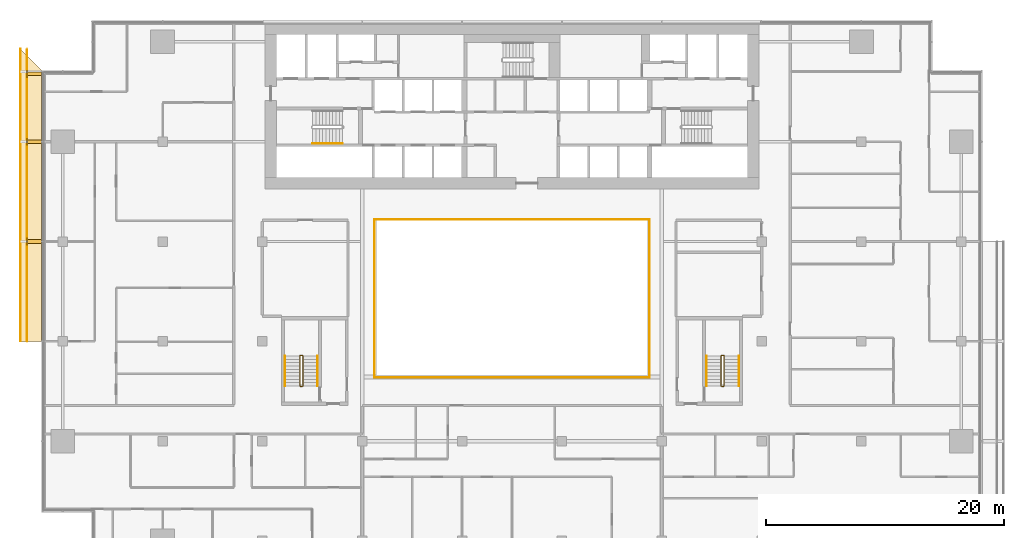
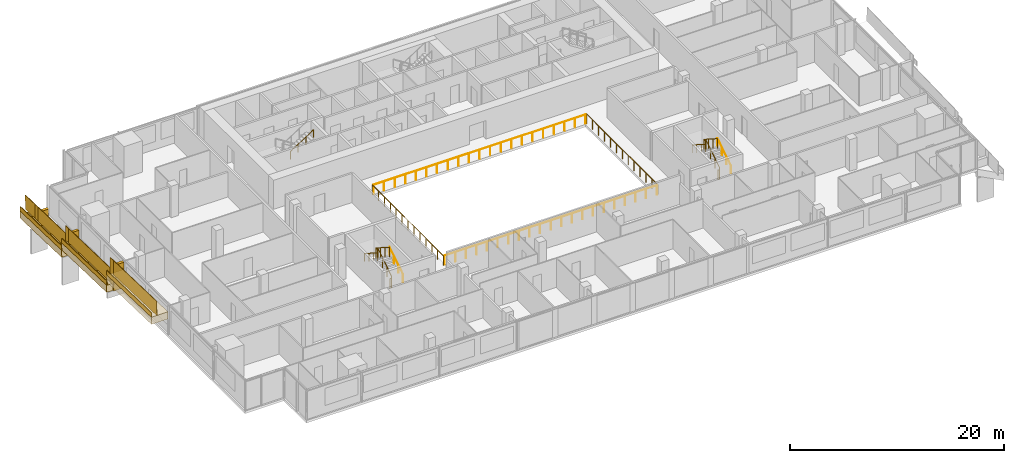
# One storey, part 23 of 25: 17 railings, 9 coverings.
"""IFC4 building model written with IfcOpenShell, lengths in metres."""

from ifc_helpers import new_model, si_unit, direction, frame, origin, origin_2d, place, context, subcontext, project, spatial, polyline, rectangle, circle, outline, extrude, material, layer, layer_set, type_object, element, save


model = new_model("IFC4")

# Units and contexts
model_context = context("Model", 3, precision=1e-05, world=origin(), true_north=direction((0.0, 1.0)))
body_context = subcontext(model_context, "Body", "Model", "MODEL_VIEW")
ifc_project = project(units=[si_unit("LENGTHUNIT", "METRE"), si_unit("AREAUNIT", "SQUARE_METRE"), si_unit("VOLUMEUNIT", "CUBIC_METRE"), si_unit("PLANEANGLEUNIT", "RADIAN"), si_unit("MASSUNIT", "GRAM", prefix="KILO")], contexts=[model_context])

# Site, building, storey
site_placement = place(None, origin())
site = spatial("IfcSite", under=ifc_project, at=site_placement, CompositionType="ELEMENT")
building_placement = place(site_placement, origin())
building = spatial("IfcBuilding", under=site, at=building_placement, Name="Saffron Gate Tower", CompositionType="ELEMENT")
storey_placement = place(building_placement, frame((0.0, 0.0, 131.25)))
storey = spatial("IfcBuildingStorey", under=building, at=storey_placement, Name="L31", CompositionType="ELEMENT", Elevation=131.25)

# Railings
ifc_material_1 = material(Name="Stainless steel and laminated glass", Category="steel")
railing_type_1 = type_object("IfcRailingType", Name="AG1 Atrium edge guard 1100", PredefinedType="GUARDRAIL", material=ifc_material_1)
railing_1_placement = place(storey_placement, frame((76.02001953125, 45.5400390625, 0.0)))
element("IfcRailing", 1, at=railing_1_placement, inside=storey, type_object=railing_type_1, Name="Guard B4-1", PredefinedType="GUARDRAIL", context=body_context, shape_type="SweptSolid", body=[
    extrude(circle(Radius=0.02392578125, at=origin_2d()), frame((0.0, 0.0, 1.076171875), z_axis=(0.0, 1.0, 0.0), x_axis=(-1.0, 0.0, 0.0)), (0.0, 0.0, 1.0), 13.320068359375),
    extrude(circle(Radius=0.02099609375, at=origin_2d()), origin(), (0.0, 0.0, 1.0), 1.052001953125),
    extrude(circle(Radius=0.02099609375, at=origin_2d()), frame((0.0, 1.110107421875, 0.0)), (0.0, 0.0, 1.0), 1.052001953125),
    extrude(circle(Radius=0.02099609375, at=origin_2d()), frame((0.0, 2.219970703125, 0.0)), (0.0, 0.0, 1.0), 1.052001953125),
    extrude(circle(Radius=0.02099609375, at=origin_2d()), frame((0.0, 3.330078125, 0.0)), (0.0, 0.0, 1.0), 1.052001953125),
    extrude(circle(Radius=0.02099609375, at=origin_2d()), frame((0.0, 4.43994140625, 0.0)), (0.0, 0.0, 1.0), 1.052001953125),
    extrude(circle(Radius=0.02099609375, at=origin_2d()), frame((0.0, 5.550048828125, 0.0)), (0.0, 0.0, 1.0), 1.052001953125),
    extrude(circle(Radius=0.02099609375, at=origin_2d()), frame((0.0, 6.66015625, 0.0)), (0.0, 0.0, 1.0), 1.052001953125),
    extrude(circle(Radius=0.02099609375, at=origin_2d()), frame((0.0, 7.77001953125, 0.0)), (0.0, 0.0, 1.0), 1.052001953125),
    extrude(circle(Radius=0.02099609375, at=origin_2d()), frame((0.0, 8.880126953125, 0.0)), (0.0, 0.0, 1.0), 1.052001953125),
    extrude(circle(Radius=0.02099609375, at=origin_2d()), frame((0.0, 9.989990234375, 0.0)), (0.0, 0.0, 1.0), 1.052001953125),
    extrude(circle(Radius=0.02099609375, at=origin_2d()), frame((0.0, 11.10009765625, 0.0)), (0.0, 0.0, 1.0), 1.052001953125),
    extrude(circle(Radius=0.02099609375, at=origin_2d()), frame((0.0, 12.2099609375, 0.0)), (0.0, 0.0, 1.0), 1.052001953125),
    extrude(circle(Radius=0.02099609375, at=origin_2d()), frame((0.0, 13.320068359375, 0.0)), (0.0, 0.0, 1.0), 1.052001953125),
])
railing_2_placement = place(storey_placement, frame((76.139892578125, 58.860107421875, 0.0)))
element("IfcRailing", 2, at=railing_2_placement, inside=storey, type_object=railing_type_1, Name="Guard B4-2", PredefinedType="GUARDRAIL", context=body_context, shape_type="SweptSolid", body=[
    extrude(circle(Radius=0.02392578125, at=origin_2d()), frame((0.0, 0.0, 1.076171875), z_axis=(1.0, 0.0, 0.0), x_axis=(0.0, 1.0, 0.0)), (0.0, 0.0, 1.0), 22.920166015625),
    extrude(circle(Radius=0.02099609375, at=origin_2d()), origin(), (0.0, 0.0, 1.0), 1.052001953125),
    extrude(circle(Radius=0.02099609375, at=origin_2d()), frame((1.14599609375, 0.0, 0.0)), (0.0, 0.0, 1.0), 1.052001953125),
    extrude(circle(Radius=0.02099609375, at=origin_2d()), frame((2.2919921875, 0.0, 0.0)), (0.0, 0.0, 1.0), 1.052001953125),
    extrude(circle(Radius=0.02099609375, at=origin_2d()), frame((3.43798828125, 0.0, 0.0)), (0.0, 0.0, 1.0), 1.052001953125),
    extrude(circle(Radius=0.02099609375, at=origin_2d()), frame((4.583984375, 0.0, 0.0)), (0.0, 0.0, 1.0), 1.052001953125),
    extrude(circle(Radius=0.02099609375, at=origin_2d()), frame((5.72998046875, 0.0, 0.0)), (0.0, 0.0, 1.0), 1.052001953125),
    extrude(circle(Radius=0.02099609375, at=origin_2d()), frame((6.8759765625, 0.0, 0.0)), (0.0, 0.0, 1.0), 1.052001953125),
    extrude(circle(Radius=0.02099609375, at=origin_2d()), frame((8.02197265625, 0.0, 0.0)), (0.0, 0.0, 1.0), 1.052001953125),
    extrude(circle(Radius=0.02099609375, at=origin_2d()), frame((9.16796875, 0.0, 0.0)), (0.0, 0.0, 1.0), 1.052001953125),
    extrude(circle(Radius=0.02099609375, at=origin_2d()), frame((10.31396484375, 0.0, 0.0)), (0.0, 0.0, 1.0), 1.052001953125),
    extrude(circle(Radius=0.02099609375, at=origin_2d()), frame((11.4599609375, 0.0, 0.0)), (0.0, 0.0, 1.0), 1.052001953125),
    extrude(circle(Radius=0.02099609375, at=origin_2d()), frame((12.606201171875, 0.0, 0.0)), (0.0, 0.0, 1.0), 1.052001953125),
    extrude(circle(Radius=0.02099609375, at=origin_2d()), frame((13.752197265625, 0.0, 0.0)), (0.0, 0.0, 1.0), 1.052001953125),
    extrude(circle(Radius=0.02099609375, at=origin_2d()), frame((14.898193359375, 0.0, 0.0)), (0.0, 0.0, 1.0), 1.052001953125),
    extrude(circle(Radius=0.02099609375, at=origin_2d()), frame((16.044189453125, 0.0, 0.0)), (0.0, 0.0, 1.0), 1.052001953125),
    extrude(circle(Radius=0.02099609375, at=origin_2d()), frame((17.190185546875, 0.0, 0.0)), (0.0, 0.0, 1.0), 1.052001953125),
    extrude(circle(Radius=0.02099609375, at=origin_2d()), frame((18.336181640625, 0.0, 0.0)), (0.0, 0.0, 1.0), 1.052001953125),
    extrude(circle(Radius=0.02099609375, at=origin_2d()), frame((19.482177734375, 0.0, 0.0)), (0.0, 0.0, 1.0), 1.052001953125),
    extrude(circle(Radius=0.02099609375, at=origin_2d()), frame((20.628173828125, 0.0, 0.0)), (0.0, 0.0, 1.0), 1.052001953125),
    extrude(circle(Radius=0.02099609375, at=origin_2d()), frame((21.774169921875, 0.0, 0.0)), (0.0, 0.0, 1.0), 1.052001953125),
    extrude(circle(Radius=0.02099609375, at=origin_2d()), frame((22.920166015625, 0.0, 0.0)), (0.0, 0.0, 1.0), 1.052001953125),
])
railing_3_placement = place(storey_placement, frame((99.179931640625, 58.860107421875, 0.0)))
element("IfcRailing", 3, at=railing_3_placement, inside=storey, type_object=railing_type_1, Name="Guard B4-3", PredefinedType="GUARDRAIL", context=body_context, shape_type="SweptSolid", body=[
    extrude(circle(Radius=0.02392578125, at=origin_2d()), frame((0.0, 0.0, 1.076171875), z_axis=(0.0, -1.0, 0.0), x_axis=(1.0, 0.0, 0.0)), (0.0, 0.0, 1.0), 13.320068359375),
    extrude(circle(Radius=0.02099609375, at=origin_2d()), origin(), (0.0, 0.0, 1.0), 1.052001953125),
    extrude(circle(Radius=0.02099609375, at=origin_2d()), frame((0.0, -1.110107421875, 0.0)), (0.0, 0.0, 1.0), 1.052001953125),
    extrude(circle(Radius=0.02099609375, at=origin_2d()), frame((0.0, -2.219970703125, 0.0)), (0.0, 0.0, 1.0), 1.052001953125),
    extrude(circle(Radius=0.02099609375, at=origin_2d()), frame((0.0, -3.330078125, 0.0)), (0.0, 0.0, 1.0), 1.052001953125),
    extrude(circle(Radius=0.02099609375, at=origin_2d()), frame((0.0, -4.43994140625, 0.0)), (0.0, 0.0, 1.0), 1.052001953125),
    extrude(circle(Radius=0.02099609375, at=origin_2d()), frame((0.0, -5.550048828125, 0.0)), (0.0, 0.0, 1.0), 1.052001953125),
    extrude(circle(Radius=0.02099609375, at=origin_2d()), frame((0.0, -6.66015625, 0.0)), (0.0, 0.0, 1.0), 1.052001953125),
    extrude(circle(Radius=0.02099609375, at=origin_2d()), frame((0.0, -7.77001953125, 0.0)), (0.0, 0.0, 1.0), 1.052001953125),
    extrude(circle(Radius=0.02099609375, at=origin_2d()), frame((0.0, -8.880126953125, 0.0)), (0.0, 0.0, 1.0), 1.052001953125),
    extrude(circle(Radius=0.02099609375, at=origin_2d()), frame((0.0, -9.989990234375, 0.0)), (0.0, 0.0, 1.0), 1.052001953125),
    extrude(circle(Radius=0.02099609375, at=origin_2d()), frame((0.0, -11.10009765625, 0.0)), (0.0, 0.0, 1.0), 1.052001953125),
    extrude(circle(Radius=0.02099609375, at=origin_2d()), frame((0.0, -12.2099609375, 0.0)), (0.0, 0.0, 1.0), 1.052001953125),
    extrude(circle(Radius=0.02099609375, at=origin_2d()), frame((0.0, -13.320068359375, 0.0)), (0.0, 0.0, 1.0), 1.052001953125),
])
railing_4_placement = place(storey_placement, frame((99.06005859375, 45.5400390625, 0.0)))
element("IfcRailing", 4, at=railing_4_placement, inside=storey, type_object=railing_type_1, Name="Guard B4-4", PredefinedType="GUARDRAIL", context=body_context, shape_type="SweptSolid", body=[
    extrude(circle(Radius=0.02392578125, at=origin_2d()), frame((0.0, 0.0, 1.076171875), z_axis=(-1.0, 0.0, 0.0), x_axis=(0.0, -1.0, 0.0)), (0.0, 0.0, 1.0), 22.920166015625),
    extrude(circle(Radius=0.02099609375, at=origin_2d()), origin(), (0.0, 0.0, 1.0), 1.052001953125),
    extrude(circle(Radius=0.02099609375, at=origin_2d()), frame((-1.14599609375, 0.0, 0.0)), (0.0, 0.0, 1.0), 1.052001953125),
    extrude(circle(Radius=0.02099609375, at=origin_2d()), frame((-2.2919921875, 0.0, 0.0)), (0.0, 0.0, 1.0), 1.052001953125),
    extrude(circle(Radius=0.02099609375, at=origin_2d()), frame((-3.43798828125, 0.0, 0.0)), (0.0, 0.0, 1.0), 1.052001953125),
    extrude(circle(Radius=0.02099609375, at=origin_2d()), frame((-4.583984375, 0.0, 0.0)), (0.0, 0.0, 1.0), 1.052001953125),
    extrude(circle(Radius=0.02099609375, at=origin_2d()), frame((-5.72998046875, 0.0, 0.0)), (0.0, 0.0, 1.0), 1.052001953125),
    extrude(circle(Radius=0.02099609375, at=origin_2d()), frame((-6.8759765625, 0.0, 0.0)), (0.0, 0.0, 1.0), 1.052001953125),
    extrude(circle(Radius=0.02099609375, at=origin_2d()), frame((-8.02197265625, 0.0, 0.0)), (0.0, 0.0, 1.0), 1.052001953125),
    extrude(circle(Radius=0.02099609375, at=origin_2d()), frame((-9.16796875, 0.0, 0.0)), (0.0, 0.0, 1.0), 1.052001953125),
    extrude(circle(Radius=0.02099609375, at=origin_2d()), frame((-10.31396484375, 0.0, 0.0)), (0.0, 0.0, 1.0), 1.052001953125),
    extrude(circle(Radius=0.02099609375, at=origin_2d()), frame((-11.4599609375, 0.0, 0.0)), (0.0, 0.0, 1.0), 1.052001953125),
    extrude(circle(Radius=0.02099609375, at=origin_2d()), frame((-12.606201171875, 0.0, 0.0)), (0.0, 0.0, 1.0), 1.052001953125),
    extrude(circle(Radius=0.02099609375, at=origin_2d()), frame((-13.752197265625, 0.0, 0.0)), (0.0, 0.0, 1.0), 1.052001953125),
    extrude(circle(Radius=0.02099609375, at=origin_2d()), frame((-14.898193359375, 0.0, 0.0)), (0.0, 0.0, 1.0), 1.052001953125),
    extrude(circle(Radius=0.02099609375, at=origin_2d()), frame((-16.044189453125, 0.0, 0.0)), (0.0, 0.0, 1.0), 1.052001953125),
    extrude(circle(Radius=0.02099609375, at=origin_2d()), frame((-17.190185546875, 0.0, 0.0)), (0.0, 0.0, 1.0), 1.052001953125),
    extrude(circle(Radius=0.02099609375, at=origin_2d()), frame((-18.336181640625, 0.0, 0.0)), (0.0, 0.0, 1.0), 1.052001953125),
    extrude(circle(Radius=0.02099609375, at=origin_2d()), frame((-19.482177734375, 0.0, 0.0)), (0.0, 0.0, 1.0), 1.052001953125),
    extrude(circle(Radius=0.02099609375, at=origin_2d()), frame((-20.628173828125, 0.0, 0.0)), (0.0, 0.0, 1.0), 1.052001953125),
    extrude(circle(Radius=0.02099609375, at=origin_2d()), frame((-21.774169921875, 0.0, 0.0)), (0.0, 0.0, 1.0), 1.052001953125),
    extrude(circle(Radius=0.02099609375, at=origin_2d()), frame((-22.920166015625, 0.0, 0.0)), (0.0, 0.0, 1.0), 1.052001953125),
])
railing_type_2 = type_object("IfcRailingType", Name="CR1 Stair guard 1100", PredefinedType="GUARDRAIL", material=ifc_material_1)
railing_5_placement = place(storey_placement, frame((69.800048828125, 44.800048828125, 0.0)))
element("IfcRailing", 5, at=railing_5_placement, inside=storey, type_object=railing_type_2, Name="L31 ST-D stair guard 1", PredefinedType="GUARDRAIL", context=body_context, shape_type="SweptSolid", body=[
    extrude(circle(Radius=0.02392578125, at=origin_2d()), frame((0.0, 0.0, 1.076171875), z_axis=(1.0, 0.0, 0.0), x_axis=(0.0, 1.0, 0.0)), (0.0, 0.0, 1.0), 0.14990234375),
    extrude(circle(Radius=0.02392578125, at=origin_2d()), frame((0.14990234375, 0.0, 1.076171875), z_axis=(0.258847668887, 0.258847668887, 0.930588936439), x_axis=(-0.707106781187, 0.707106781187, 0.0)), (0.0, 0.0, 1.0), 0.193359375),
    extrude(circle(Radius=0.02392578125, at=origin_2d()), frame((0.199951171875, 0.050048828125, 1.255859375), z_axis=(0.0, 0.841162588446, 0.540782303519), x_axis=(-1.0, 0.0, 0.0)), (0.0, 0.0, 1.0), 2.995849609375),
    extrude(circle(Radius=0.02392578125, at=origin_2d()), frame((0.199951171875, 2.570068359375, 2.8759765625), z_axis=(-0.708833529934, 0.705375805398, 0.0), x_axis=(-0.705375805398, -0.708833529934, 0.0)), (0.0, 0.0, 1.0), 0.070556640625),
    extrude(circle(Radius=0.02392578125, at=origin_2d()), frame((0.14990234375, 2.619873046875, 2.8759765625), z_axis=(-1.0, 0.0, 0.0), x_axis=(0.0, -1.0, 0.0)), (0.0, 0.0, 1.0), 0.14990234375),
    extrude(circle(Radius=0.02392578125, at=origin_2d()), frame((0.0, 2.619873046875, 2.8759765625), z_axis=(-0.258932105505, -0.257669022063, 0.930892496375), x_axis=(0.705375805398, -0.708833529934, 0.0)), (0.0, 0.0, 1.0), 0.193359375),
    extrude(circle(Radius=0.02392578125, at=origin_2d()), frame((-0.050048828125, 2.570068359375, 3.05615234375), z_axis=(0.0, -0.841162588446, 0.540782303519), x_axis=(1.0, 0.0, 0.0)), (0.0, 0.0, 1.0), 2.995849609375),
    extrude(circle(Radius=0.02099609375, at=origin_2d()), origin(), (0.0, 0.0, 1.0), 1.052001953125),
    extrude(circle(Radius=0.02099609375, at=origin_2d()), frame((0.14990234375, 0.0, 0.0)), (0.0, 0.0, 1.0), 1.052001953125),
    extrude(circle(Radius=0.02099609375, at=origin_2d()), frame((0.199951171875, 0.050048828125, 0.179931640625)), (0.0, 0.0, 1.0), 1.052001953125),
    extrude(circle(Radius=0.02099609375, at=origin_2d()), frame((0.199951171875, 0.89013671875, 0.719970703125)), (0.0, 0.0, 1.0), 1.052001953125),
    extrude(circle(Radius=0.02099609375, at=origin_2d()), frame((0.199951171875, 1.72998046875, 1.260009765625)), (0.0, 0.0, 1.0), 1.052001953125),
    extrude(circle(Radius=0.02099609375, at=origin_2d()), frame((0.199951171875, 2.570068359375, 1.800048828125)), (0.0, 0.0, 1.0), 1.052001953125),
    extrude(circle(Radius=0.02099609375, at=origin_2d()), frame((0.14990234375, 2.619873046875, 1.800048828125)), (0.0, 0.0, 1.0), 1.052001953125),
    extrude(circle(Radius=0.02099609375, at=origin_2d()), frame((0.0, 2.619873046875, 1.800048828125)), (0.0, 0.0, 1.0), 1.052001953125),
    extrude(circle(Radius=0.02099609375, at=origin_2d()), frame((-0.050048828125, 2.570068359375, 1.97998046875)), (0.0, 0.0, 1.0), 1.052001953125),
    extrude(circle(Radius=0.02099609375, at=origin_2d()), frame((-0.050048828125, 1.72998046875, 2.52001953125)), (0.0, 0.0, 1.0), 1.052001953125),
    extrude(circle(Radius=0.02099609375, at=origin_2d()), frame((-0.050048828125, 0.89013671875, 3.06005859375)), (0.0, 0.0, 1.0), 1.052001953125),
    extrude(circle(Radius=0.02099609375, at=origin_2d()), frame((-0.050048828125, 0.050048828125, 3.60009765625)), (0.0, 0.0, 1.0), 1.052001953125),
])
railing_6_placement = place(storey_placement, frame((105.25, 44.800048828125, 0.0)))
element("IfcRailing", 6, at=railing_6_placement, inside=storey, type_object=railing_type_2, Name="L31 ST-E stair guard 1", PredefinedType="GUARDRAIL", context=body_context, shape_type="SweptSolid", body=[
    extrude(circle(Radius=0.02392578125, at=origin_2d()), frame((0.0, 0.0, 1.076171875), z_axis=(1.0, 0.0, 0.0), x_axis=(0.0, 1.0, 0.0)), (0.0, 0.0, 1.0), 0.14990234375),
    extrude(circle(Radius=0.02392578125, at=origin_2d()), frame((0.14990234375, 0.0, 1.076171875), z_axis=(0.258847668887, 0.258847668887, 0.930588936439), x_axis=(-0.707106781187, 0.707106781187, 0.0)), (0.0, 0.0, 1.0), 0.193359375),
    extrude(circle(Radius=0.02392578125, at=origin_2d()), frame((0.199951171875, 0.050048828125, 1.255859375), z_axis=(0.0, 0.841162588446, 0.540782303519), x_axis=(-1.0, 0.0, 0.0)), (0.0, 0.0, 1.0), 2.995849609375),
    extrude(circle(Radius=0.02392578125, at=origin_2d()), frame((0.199951171875, 2.570068359375, 2.8759765625), z_axis=(-0.708833529934, 0.705375805398, 0.0), x_axis=(-0.705375805398, -0.708833529934, 0.0)), (0.0, 0.0, 1.0), 0.070556640625),
    extrude(circle(Radius=0.02392578125, at=origin_2d()), frame((0.14990234375, 2.619873046875, 2.8759765625), z_axis=(-1.0, 0.0, 0.0), x_axis=(0.0, -1.0, 0.0)), (0.0, 0.0, 1.0), 0.14990234375),
    extrude(circle(Radius=0.02392578125, at=origin_2d()), frame((0.0, 2.619873046875, 2.8759765625), z_axis=(-0.258932105505, -0.257669022063, 0.930892496375), x_axis=(0.705375805398, -0.708833529934, 0.0)), (0.0, 0.0, 1.0), 0.193359375),
    extrude(circle(Radius=0.02392578125, at=origin_2d()), frame((-0.050048828125, 2.570068359375, 3.05615234375), z_axis=(0.0, -0.841162588446, 0.540782303519), x_axis=(1.0, 0.0, 0.0)), (0.0, 0.0, 1.0), 2.995849609375),
    extrude(circle(Radius=0.02099609375, at=origin_2d()), origin(), (0.0, 0.0, 1.0), 1.052001953125),
    extrude(circle(Radius=0.02099609375, at=origin_2d()), frame((0.14990234375, 0.0, 0.0)), (0.0, 0.0, 1.0), 1.052001953125),
    extrude(circle(Radius=0.02099609375, at=origin_2d()), frame((0.199951171875, 0.050048828125, 0.179931640625)), (0.0, 0.0, 1.0), 1.052001953125),
    extrude(circle(Radius=0.02099609375, at=origin_2d()), frame((0.199951171875, 0.89013671875, 0.719970703125)), (0.0, 0.0, 1.0), 1.052001953125),
    extrude(circle(Radius=0.02099609375, at=origin_2d()), frame((0.199951171875, 1.72998046875, 1.260009765625)), (0.0, 0.0, 1.0), 1.052001953125),
    extrude(circle(Radius=0.02099609375, at=origin_2d()), frame((0.199951171875, 2.570068359375, 1.800048828125)), (0.0, 0.0, 1.0), 1.052001953125),
    extrude(circle(Radius=0.02099609375, at=origin_2d()), frame((0.14990234375, 2.619873046875, 1.800048828125)), (0.0, 0.0, 1.0), 1.052001953125),
    extrude(circle(Radius=0.02099609375, at=origin_2d()), frame((0.0, 2.619873046875, 1.800048828125)), (0.0, 0.0, 1.0), 1.052001953125),
    extrude(circle(Radius=0.02099609375, at=origin_2d()), frame((-0.050048828125, 2.570068359375, 1.97998046875)), (0.0, 0.0, 1.0), 1.052001953125),
    extrude(circle(Radius=0.02099609375, at=origin_2d()), frame((-0.050048828125, 1.72998046875, 2.52001953125)), (0.0, 0.0, 1.0), 1.052001953125),
    extrude(circle(Radius=0.02099609375, at=origin_2d()), frame((-0.050048828125, 0.89013671875, 3.06005859375)), (0.0, 0.0, 1.0), 1.052001953125),
    extrude(circle(Radius=0.02099609375, at=origin_2d()), frame((-0.050048828125, 0.050048828125, 3.60009765625)), (0.0, 0.0, 1.0), 1.052001953125),
])
ifc_material_2 = material(Name="Stainless steel", Category="steel")
railing_type_3 = type_object("IfcRailingType", Name="CR2 Stair handrail 900", PredefinedType="HANDRAIL", material=ifc_material_2)
railing_7_placement = place(storey_placement, frame((70.830078125, 65.25, 1.97998046875)))
element("IfcRailing", 7, at=railing_7_placement, inside=storey, type_object=railing_type_3, Name="L31 ST-A stair handrail 2", PredefinedType="HANDRAIL", context=body_context, shape_type="SweptSolid", body=[
    extrude(circle(Radius=0.02392578125, at=origin_2d()), frame((0.0, 0.0, 0.8759765625), z_axis=(0.841162588446, 0.0, 0.540782303519), x_axis=(0.0, 1.0, 0.0)), (0.0, 0.0, 1.0), 2.995849609375),
    extrude(circle(Radius=0.02099609375, at=origin_2d()), origin(), (0.0, 0.0, 1.0), 0.851806640625),
    extrude(circle(Radius=0.02099609375, at=origin_2d()), frame((0.840087890625, 0.0, 0.5400390625)), (0.0, 0.0, 1.0), 0.851806640625),
    extrude(circle(Radius=0.02099609375, at=origin_2d()), frame((1.679931640625, 0.0, 1.080078125)), (0.0, 0.0, 1.0), 0.851806640625),
    extrude(circle(Radius=0.02099609375, at=origin_2d()), frame((2.52001953125, 0.0, 1.6201171875)), (0.0, 0.0, 1.0), 0.851806640625),
])
railing_8_placement = place(storey_placement, frame((71.25, 44.85009765625, 0.179931640625)))
element("IfcRailing", 8, at=railing_8_placement, inside=storey, type_object=railing_type_3, Name="L31 ST-D stair handrail 1", PredefinedType="HANDRAIL", context=body_context, shape_type="SweptSolid", body=[
    extrude(circle(Radius=0.02392578125, at=origin_2d()), frame((0.0, 0.0, 0.8759765625), z_axis=(0.0, 0.841162588446, 0.540782303519), x_axis=(-1.0, 0.0, 0.0)), (0.0, 0.0, 1.0), 2.995849609375),
    extrude(circle(Radius=0.02099609375, at=origin_2d()), origin(), (0.0, 0.0, 1.0), 0.851806640625),
    extrude(circle(Radius=0.02099609375, at=origin_2d()), frame((0.0, 0.840087890625, 0.5400390625)), (0.0, 0.0, 1.0), 0.851806640625),
    extrude(circle(Radius=0.02099609375, at=origin_2d()), frame((0.0, 1.679931640625, 1.080078125)), (0.0, 0.0, 1.0), 0.851806640625),
    extrude(circle(Radius=0.02099609375, at=origin_2d()), frame((0.0, 2.52001953125, 1.6201171875)), (0.0, 0.0, 1.0), 0.851806640625),
])
railing_9_placement = place(storey_placement, frame((68.5, 47.3701171875, 1.97998046875)))
element("IfcRailing", 9, at=railing_9_placement, inside=storey, type_object=railing_type_3, Name="L31 ST-D stair handrail 2", PredefinedType="HANDRAIL", context=body_context, shape_type="SweptSolid", body=[
    extrude(circle(Radius=0.02392578125, at=origin_2d()), frame((0.0, 0.0, 0.8759765625), z_axis=(0.0, -0.841162588446, 0.540782303519), x_axis=(1.0, 0.0, 0.0)), (0.0, 0.0, 1.0), 2.995849609375),
    extrude(circle(Radius=0.02099609375, at=origin_2d()), origin(), (0.0, 0.0, 1.0), 0.851806640625),
    extrude(circle(Radius=0.02099609375, at=origin_2d()), frame((0.0, -0.840087890625, 0.5400390625)), (0.0, 0.0, 1.0), 0.851806640625),
    extrude(circle(Radius=0.02099609375, at=origin_2d()), frame((0.0, -1.679931640625, 1.080078125)), (0.0, 0.0, 1.0), 0.851806640625),
    extrude(circle(Radius=0.02099609375, at=origin_2d()), frame((0.0, -2.52001953125, 1.6201171875)), (0.0, 0.0, 1.0), 0.851806640625),
])
railing_10_placement = place(storey_placement, frame((106.699951171875, 44.85009765625, 0.179931640625)))
element("IfcRailing", 10, at=railing_10_placement, inside=storey, type_object=railing_type_3, Name="L31 ST-E stair handrail 1", PredefinedType="HANDRAIL", context=body_context, shape_type="SweptSolid", body=[
    extrude(circle(Radius=0.02392578125, at=origin_2d()), frame((0.0, 0.0, 0.8759765625), z_axis=(0.0, 0.841162588446, 0.540782303519), x_axis=(-1.0, 0.0, 0.0)), (0.0, 0.0, 1.0), 2.995849609375),
    extrude(circle(Radius=0.02099609375, at=origin_2d()), origin(), (0.0, 0.0, 1.0), 0.851806640625),
    extrude(circle(Radius=0.02099609375, at=origin_2d()), frame((0.0, 0.840087890625, 0.5400390625)), (0.0, 0.0, 1.0), 0.851806640625),
    extrude(circle(Radius=0.02099609375, at=origin_2d()), frame((0.0, 1.679931640625, 1.080078125)), (0.0, 0.0, 1.0), 0.851806640625),
    extrude(circle(Radius=0.02099609375, at=origin_2d()), frame((0.0, 2.52001953125, 1.6201171875)), (0.0, 0.0, 1.0), 0.851806640625),
])
railing_11_placement = place(storey_placement, frame((103.949951171875, 47.3701171875, 1.97998046875)))
element("IfcRailing", 11, at=railing_11_placement, inside=storey, type_object=railing_type_3, Name="L31 ST-E stair handrail 2", PredefinedType="HANDRAIL", context=body_context, shape_type="SweptSolid", body=[
    extrude(circle(Radius=0.02392578125, at=origin_2d()), frame((0.0, 0.0, 0.8759765625), z_axis=(0.0, -0.841162588446, 0.540782303519), x_axis=(1.0, 0.0, 0.0)), (0.0, 0.0, 1.0), 2.995849609375),
    extrude(circle(Radius=0.02099609375, at=origin_2d()), origin(), (0.0, 0.0, 1.0), 0.851806640625),
    extrude(circle(Radius=0.02099609375, at=origin_2d()), frame((0.0, -0.840087890625, 0.5400390625)), (0.0, 0.0, 1.0), 0.851806640625),
    extrude(circle(Radius=0.02099609375, at=origin_2d()), frame((0.0, -1.679931640625, 1.080078125)), (0.0, 0.0, 1.0), 0.851806640625),
    extrude(circle(Radius=0.02099609375, at=origin_2d()), frame((0.0, -2.52001953125, 1.6201171875)), (0.0, 0.0, 1.0), 0.851806640625),
])

# Coverings
ifc_material_3 = material(Name="Timber, thermally modified ash", Category="wood")
ifc_layer_1 = layer(ifc_material_3, 0.800048828125)
ifc_layer_set_1 = layer_set([ifc_layer_1], Name="LD1 ledge timber")
covering_type_1 = type_object("IfcCoveringType", Name="LD1 ledge timber", PredefinedType="CLADDING", material=ifc_layer_set_1)
covering_1_placement = place(storey_placement, frame((48.0, 71.39990234375, -0.07177734375), z_axis=(2.391759e-05, 0.028789477025, 0.999585496814), x_axis=(-1.72e-10, -0.9995854971, 0.028789477033)))
element("IfcCovering", 12, at=covering_1_placement, inside=storey, type_object=covering_type_1, Name="LEDGE", PredefinedType="CLADDING", context=body_context, shape_type="SweptSolid", body=[
    extrude(outline(polyline([(0.0, 0.0), (6.002489288687248, -8.470329472543003e-22), (6.002489288996045, -1.8000488276101398), (-1.800792782710612, -1.8000488299785034), (0.0, 0.0)])), origin(), (0.0, 0.0, -1.0), 0.800048828125),
])
for number, where, z_axis, x_axis, name in (
    (13, (48.0, 65.39990234375, 0.95849609375), (0.0, 0.028791175352, 0.999585448184), (0.0, -0.999585448184, 0.028791175352), "LEDGE"),
    (14, (48.0, 57.0, 2.40087890625), (0.0, 0.028791175352, 0.999585448184), (0.0, -0.999585448184, 0.028791175352), "LEDGE"),
):
    element("IfcCovering", number, at=place(storey_placement, frame(where, z_axis=z_axis, x_axis=x_axis)), inside=storey, type_object=covering_type_1, Name=name, PredefinedType="CLADDING", context=body_context, shape_type="SweptSolid", body=[
        extrude(outline(polyline([(0.0, 0.0), (8.403385982666892, 0.0), (8.403385982666892, -1.800048828125), (0.0, -1.800048828125), (0.0, 0.0)])), origin(), (0.0, 0.0, -1.0), 0.800048828125),
    ])
ifc_layer_2 = layer(ifc_material_3, 0.080078125)
ifc_layer_set_2 = layer_set([ifc_layer_2], Name="LD2 ledge planter trough")
covering_type_2 = type_object("IfcCoveringType", Name="LD2 ledge planter trough", PredefinedType="CLADDING", material=ifc_layer_set_2)
covering_2_placement = place(storey_placement, frame((46.199951171875, 73.199951171875, -0.12353515625), z_axis=(-1.0, 0.0, 0.0), x_axis=(0.0, -0.999585655924, 0.028783962047)))
element("IfcCovering", 15, at=covering_2_placement, inside=storey, type_object=covering_type_2, Name="LEDGE planter trough", PredefinedType="CLADDING", context=body_context, shape_type="SweptSolid", body=[
    extrude(outline(polyline([(0.0, 0.0), (7.803282071825423, 2.7755575615628914e-17), (7.817674052849086, 0.4997928279619612), (0.014391981023662846, 0.4997928279619612), (0.0, 0.0)])), origin(), (0.0, 0.0, -1.0), 0.080078125),
])
for number, where, z_axis, x_axis, name in (
    (16, (46.199951171875, 65.39990234375, 0.95849609375), (-1.0, 0.0, 0.0), (0.0, -0.999585448184, 0.028791175352), "LEDGE planter trough"),
    (17, (46.199951171875, 57.0, 2.40087890625), (-1.0, 0.0, 0.0), (0.0, -0.999585448184, 0.028791175352), "LEDGE planter trough"),
):
    element("IfcCovering", number, at=place(storey_placement, frame(where, z_axis=z_axis, x_axis=x_axis)), inside=storey, type_object=covering_type_2, Name=name, PredefinedType="CLADDING", context=body_context, shape_type="SweptSolid", body=[
        extrude(outline(polyline([(0.0, 0.0), (8.403385982666892, 0.0), (8.417781570342743, 0.49979272409216496), (0.014395587675851172, 0.4997927240921649), (0.0, 0.0)])), origin(), (0.0, 0.0, -1.0), 0.080078125),
    ])
ifc_layer_3 = layer(ifc_material_3, 0.300048828125)
ifc_layer_set_3 = layer_set([ifc_layer_3], Name="LD3 ledge riser fin")
covering_type_3 = type_object("IfcCoveringType", Name="LD3 ledge riser fin", PredefinedType="CLADDING", material=ifc_layer_set_3)
covering_3_placement = place(storey_placement, frame((47.43994140625, 71.10009765625, -1.12890625), z_axis=(0.0, 0.0, 1.0), x_axis=(0.0, -1.0, 0.0)))
element("IfcCovering", 18, at=covering_3_placement, inside=storey, type_object=covering_type_3, Name="LEDGE riser fin", PredefinedType="CLADDING", context=body_context, shape_type="SweptSolid", body=[
    extrude(rectangle(XDim=0.300048828125, YDim=1.1201171875, at=origin_2d()), origin(), (0.0, 0.0, 1.0), 1.957275390625),
])
covering_4_placement = place(storey_placement, frame((47.43994140625, 65.39990234375, -0.69873046875), z_axis=(0.0, 0.0, 1.0), x_axis=(0.0, -1.0, 0.0)))
element("IfcCovering", 19, at=covering_4_placement, inside=storey, type_object=covering_type_3, Name="LEDGE riser fin", PredefinedType="CLADDING", context=body_context, shape_type="SweptSolid", body=[
    extrude(rectangle(XDim=0.300048828125, YDim=1.1201171875, at=origin_2d()), origin(), (0.0, 0.0, 1.0), 2.557373046875),
])
covering_5_placement = place(storey_placement, frame((47.43994140625, 57.0, 0.400390625), z_axis=(0.0, 0.0, 1.0), x_axis=(0.0, -1.0, 0.0)))
element("IfcCovering", 20, at=covering_5_placement, inside=storey, type_object=covering_type_3, Name="LEDGE riser fin", PredefinedType="CLADDING", context=body_context, shape_type="SweptSolid", body=[
    extrude(rectangle(XDim=0.300048828125, YDim=1.1201171875, at=origin_2d()), origin(), (0.0, 0.0, 1.0), 2.900390625),
])

# Railings
railing_type_4 = type_object("IfcRailingType", Name="LG1 ledge balustrade", PredefinedType="BALUSTRADE", material=ifc_material_3)
railing_12_placement = place(storey_placement, frame((46.800048828125, 73.199951171875, -0.12353515625)))
element("IfcRailing", 21, at=railing_12_placement, inside=storey, type_object=railing_type_4, Name="LEDGE BALUSTRADE", PredefinedType="BALUSTRADE", context=body_context, shape_type="SweptSolid", body=[
    extrude(rectangle(XDim=0.06005859375, YDim=1.60009765625, at=origin_2d()), frame((0.0, 0.0, 0.800048828125), z_axis=(0.0, -0.999585655924, 0.028783962047), x_axis=(1.0, 0.0, 0.0)), (0.0, 0.0, 1.0), 7.80322265625),
])
railing_13_placement = place(storey_placement, frame((46.800048828125, 71.39990234375, -0.3291015625)))
element("IfcRailing", 22, at=railing_13_placement, inside=storey, type_object=railing_type_4, Name="LEDGE BALUSTRADE", PredefinedType="BALUSTRADE", context=body_context, shape_type="SweptSolid", body=[
    extrude(rectangle(XDim=0.06005859375, YDim=1.857177734375, at=origin_2d()), frame((0.0, 0.0, 0.9287109375), z_axis=(0.0, -1.0, 0.0), x_axis=(1.0, 0.0, 0.0)), (0.0, 0.0, 1.0), 0.599853515625),
])
railing_14_placement = place(storey_placement, frame((46.800048828125, 65.39990234375, 0.95849609375)))
element("IfcRailing", 23, at=railing_14_placement, inside=storey, type_object=railing_type_4, Name="LEDGE BALUSTRADE", PredefinedType="BALUSTRADE", context=body_context, shape_type="SweptSolid", body=[
    extrude(rectangle(XDim=0.06005859375, YDim=1.60009765625, at=origin_2d()), frame((0.0, 0.0, 0.800048828125), z_axis=(0.0, -0.999585448184, 0.028791175352), x_axis=(1.0, 0.0, 0.0)), (0.0, 0.0, 1.0), 8.4033203125),
])
railing_15_placement = place(storey_placement, frame((46.800048828125, 65.699951171875, 0.10107421875)))
element("IfcRailing", 24, at=railing_15_placement, inside=storey, type_object=railing_type_4, Name="LEDGE BALUSTRADE", PredefinedType="BALUSTRADE", context=body_context, shape_type="SweptSolid", body=[
    extrude(rectangle(XDim=0.06005859375, YDim=2.45751953125, at=origin_2d()), frame((0.0, 0.0, 1.228759765625), z_axis=(0.0, -1.0, 0.0), x_axis=(1.0, 0.0, 0.0)), (0.0, 0.0, 1.0), 0.599853515625),
])
railing_16_placement = place(storey_placement, frame((46.800048828125, 57.0, 2.40087890625)))
element("IfcRailing", 25, at=railing_16_placement, inside=storey, type_object=railing_type_4, Name="LEDGE BALUSTRADE", PredefinedType="BALUSTRADE", context=body_context, shape_type="SweptSolid", body=[
    extrude(rectangle(XDim=0.06005859375, YDim=1.60009765625, at=origin_2d()), frame((0.0, 0.0, 0.800048828125), z_axis=(0.0, -0.999585448184, 0.028791175352), x_axis=(1.0, 0.0, 0.0)), (0.0, 0.0, 1.0), 8.4033203125),
])
railing_17_placement = place(storey_placement, frame((46.800048828125, 57.300048828125, 1.200439453125)))
element("IfcRailing", 26, at=railing_17_placement, inside=storey, type_object=railing_type_4, Name="LEDGE BALUSTRADE", PredefinedType="BALUSTRADE", context=body_context, shape_type="SweptSolid", body=[
    extrude(rectangle(XDim=0.06005859375, YDim=2.80029296875, at=origin_2d()), frame((0.0, 0.0, 1.400146484375), z_axis=(0.0, -1.0, 0.0), x_axis=(1.0, 0.0, 0.0)), (0.0, 0.0, 1.0), 0.60009765625),
])

save(model, "model.ifc")
